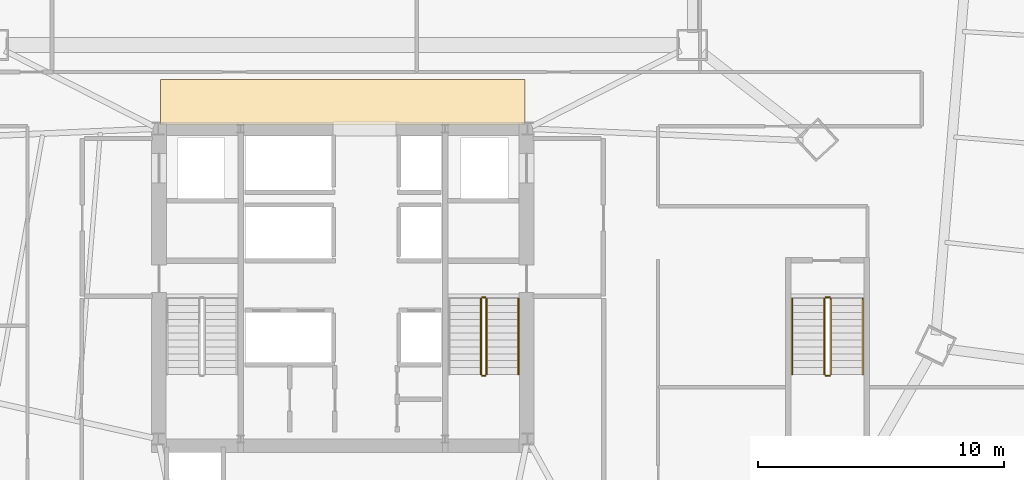
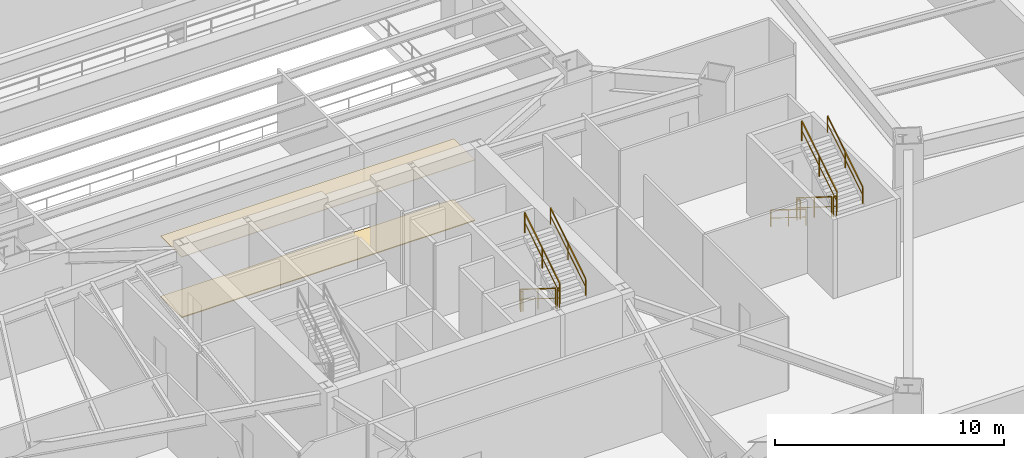
# One storey, part 11 of 12: 11 railings, 2 coverings.
"""IFC4 building model written with IfcOpenShell, lengths in metres."""

from ifc_helpers import new_model, si_unit, direction, frame, origin, origin_2d, place, context, subcontext, project, spatial, polyline, rectangle, outline, extrude, material, layer, layer_set, type_object, element, save


model = new_model("IFC4")

# Units and contexts
model_context = context("Model", 3, precision=1e-05, world=origin(), true_north=direction((0.0, 1.0)))
body_context = subcontext(model_context, "Body", "Model", "MODEL_VIEW")
ifc_project = project(units=[si_unit("LENGTHUNIT", "METRE"), si_unit("AREAUNIT", "SQUARE_METRE"), si_unit("VOLUMEUNIT", "CUBIC_METRE"), si_unit("PLANEANGLEUNIT", "RADIAN"), si_unit("MASSUNIT", "GRAM", prefix="KILO")], contexts=[model_context])

# Site, building, storey
site_placement = place(None, origin())
site = spatial("IfcSite", under=ifc_project, at=site_placement, CompositionType="ELEMENT")
building_placement = place(site_placement, origin())
building = spatial("IfcBuilding", under=site, at=building_placement, Name="Caelisora Broadcast Tower", CompositionType="ELEMENT")
storey_placement = place(building_placement, frame((0.0, 0.0, 14.699951171875)))
storey = spatial("IfcBuildingStorey", under=building, at=storey_placement, Name="L03", CompositionType="ELEMENT", Elevation=14.699951171875)

# Coverings
ifc_material_1 = material(Name="Perforated Mineral-Fibre Acoustic Ceiling Tile", Category="gypsum")
ifc_layer_1 = layer(ifc_material_1, 0.034912109375, Name="Perforated Mineral-Fibre Acoustic Ceiling Tile")
ifc_layer_set_1 = layer_set([ifc_layer_1], Name="Perforated Mineral-Fibre Acoustic Ceiling Tile")
covering_type_1 = type_object("IfcCoveringType", Name="CE-1", PredefinedType="CEILING", material=ifc_layer_set_1)
covering_1_placement = place(storey_placement, frame((0.0, 0.0, 3.22998046875)))
element("IfcCovering", 1, at=covering_1_placement, inside=storey, type_object=covering_type_1, Name="L03 acoustic corridor ceiling CE-1 (N)", PredefinedType="CEILING", context=body_context, shape_type="SweptSolid", body=[
    extrude(outline(polyline([(30.60009765625, 30.14990234375), (45.39990234375, 30.14990234375), (45.39990234375, 32.0), (30.60009765625, 32.0), (30.60009765625, 30.14990234375)])), origin(), (0.0, 0.0, 1.0), 0.03515625),
])
ifc_material_2 = material(Name="Anti-Static Broadcast Raised Access Floor Panel", Category="steel")
ifc_layer_2 = layer(ifc_material_2, 0.044921875, Name="Anti-Static Broadcast Raised Access Floor Panel")
ifc_layer_set_2 = layer_set([ifc_layer_2], Name="Anti-Static Broadcast Raised Access Floor Panel")
covering_type_2 = type_object("IfcCoveringType", Name="FL-1", PredefinedType="FLOORING", material=ifc_layer_set_2)
covering_2_placement = place(storey_placement, origin())
element("IfcCovering", 2, at=covering_2_placement, inside=storey, type_object=covering_type_2, Name="L03 broadcast raised access floor FL-1 (N)", PredefinedType="FLOORING", context=body_context, shape_type="SweptSolid", body=[
    extrude(outline(polyline([(30.60009765625, 30.14990234375), (45.39990234375, 30.14990234375), (45.39990234375, 32.0), (30.60009765625, 32.0), (30.60009765625, 30.14990234375)])), origin(), (0.0, 0.0, 1.0), 0.045166015625),
])

# Railings
ifc_material_3 = material(Name="Galvanised Steel Safety Guardrail", Category="steel")
ifc_layer_3 = layer(ifc_material_3, 0.048095703125, Name="Galvanised Steel Safety Guardrail")
ifc_layer_set_3 = layer_set([ifc_layer_3], Name="Galvanised Steel Safety Guardrail")
railing_type_1 = type_object("IfcRailingType", Name="GR-1", PredefinedType="GUARDRAIL", material=ifc_layer_set_3)
railing_1_placement = place(storey_placement, frame((43.610107421875, 23.10009765625, 0.175048828125)))
element("IfcRailing", 3, at=railing_1_placement, inside=storey, type_object=railing_type_1, Name="L03 ST-2 stair guard 1", PredefinedType="GUARDRAIL", context=body_context, shape_type="SweptSolid", body=[
    extrude(rectangle(XDim=0.048095703125, YDim=0.048095703125, at=origin_2d()), frame((0.0, 0.0, 1.076171875), z_axis=(0.0, -0.847998304005, 0.529998940003), x_axis=(1.0, 0.0, 0.0)), (0.0, 0.0, 1.0), 3.632080078125),
    extrude(rectangle(XDim=0.03125, YDim=0.03125, at=origin_2d()), frame((0.0, 0.0, 0.550048828125), z_axis=(0.0, -0.847998304005, 0.529998940003), x_axis=(1.0, 0.0, 0.0)), (0.0, 0.0, 1.0), 3.632080078125),
    extrude(rectangle(XDim=0.0419921875, YDim=0.0419921875, at=origin_2d()), origin(), (0.0, 0.0, 1.0), 1.052001953125),
    extrude(rectangle(XDim=0.0419921875, YDim=0.0419921875, at=origin_2d()), frame((0.0, -1.5400390625, 0.96240234375)), (0.0, 0.0, 1.0), 1.052001953125),
    extrude(rectangle(XDim=0.0419921875, YDim=0.0419921875, at=origin_2d()), frame((0.0, -3.080078125, 1.925048828125)), (0.0, 0.0, 1.0), 1.052001953125),
])
railing_2_placement = place(storey_placement, frame((43.659912109375, 19.969970703125, 2.10009765625)))
element("IfcRailing", 4, at=railing_2_placement, inside=storey, type_object=railing_type_1, Name="L03 ST-2 stair guard 2", PredefinedType="GUARDRAIL", context=body_context, shape_type="SweptSolid", body=[
    extrude(rectangle(XDim=0.048095703125, YDim=0.048095703125, at=origin_2d()), frame((0.0, 0.0, 1.076171875), z_axis=(1.0, 0.0, 0.0), x_axis=(0.0, 1.0, 0.0)), (0.0, 0.0, 1.0), 0.1201171875),
    extrude(rectangle(XDim=0.03125, YDim=0.03125, at=origin_2d()), frame((0.0, 0.0, 0.550048828125), z_axis=(1.0, 0.0, 0.0), x_axis=(0.0, 1.0, 0.0)), (0.0, 0.0, 1.0), 0.1201171875),
    extrude(rectangle(XDim=0.0419921875, YDim=0.0419921875, at=origin_2d()), origin(), (0.0, 0.0, 1.0), 1.052001953125),
    extrude(rectangle(XDim=0.0419921875, YDim=0.0419921875, at=origin_2d()), frame((0.1201171875, 0.0, 0.0)), (0.0, 0.0, 1.0), 1.052001953125),
])
railing_3_placement = place(storey_placement, frame((43.830078125, 20.02001953125, 2.275146484375)))
element("IfcRailing", 5, at=railing_3_placement, inside=storey, type_object=railing_type_1, Name="L03 ST-2 stair guard 3", PredefinedType="GUARDRAIL", context=body_context, shape_type="SweptSolid", body=[
    extrude(rectangle(XDim=0.048095703125, YDim=0.048095703125, at=origin_2d()), frame((0.0, 0.0, 1.076171875), z_axis=(0.0, 0.848028513186, 0.529950602248), x_axis=(-1.0, 0.0, 0.0)), (0.0, 0.0, 1.0), 3.632080078125),
    extrude(rectangle(XDim=0.03125, YDim=0.03125, at=origin_2d()), frame((0.0, 0.0, 0.550048828125), z_axis=(0.0, 0.848028513186, 0.529950602248), x_axis=(-1.0, 0.0, 0.0)), (0.0, 0.0, 1.0), 3.632080078125),
    extrude(rectangle(XDim=0.0419921875, YDim=0.0419921875, at=origin_2d()), origin(), (0.0, 0.0, 1.0), 1.052001953125),
    extrude(rectangle(XDim=0.0419921875, YDim=0.0419921875, at=origin_2d()), frame((0.0, 1.5400390625, 0.96240234375)), (0.0, 0.0, 1.0), 1.052001953125),
    extrude(rectangle(XDim=0.0419921875, YDim=0.0419921875, at=origin_2d()), frame((0.0, 3.080078125, 1.9248046875)), (0.0, 0.0, 1.0), 1.052001953125),
])
railing_4_placement = place(storey_placement, frame((43.659912109375, 23.14990234375, 0.0)))
element("IfcRailing", 6, at=railing_4_placement, inside=storey, type_object=railing_type_1, Name="L03 ST-2 stair guard 4", PredefinedType="GUARDRAIL", context=body_context, shape_type="SweptSolid", body=[
    extrude(rectangle(XDim=0.048095703125, YDim=0.048095703125, at=origin_2d()), frame((0.0, 0.0, 1.076171875), z_axis=(1.0, 0.0, 0.0), x_axis=(0.0, 1.0, 0.0)), (0.0, 0.0, 1.0), 0.1201171875),
    extrude(rectangle(XDim=0.03125, YDim=0.03125, at=origin_2d()), frame((0.0, 0.0, 0.550048828125), z_axis=(1.0, 0.0, 0.0), x_axis=(0.0, 1.0, 0.0)), (0.0, 0.0, 1.0), 0.1201171875),
    extrude(rectangle(XDim=0.0419921875, YDim=0.0419921875, at=origin_2d()), origin(), (0.0, 0.0, 1.0), 1.052001953125),
    extrude(rectangle(XDim=0.0419921875, YDim=0.0419921875, at=origin_2d()), frame((0.1201171875, 0.0, 0.0)), (0.0, 0.0, 1.0), 1.052001953125),
])
railing_5_placement = place(storey_placement, frame((57.550048828125, 23.10009765625, 0.175048828125)))
element("IfcRailing", 7, at=railing_5_placement, inside=storey, type_object=railing_type_1, Name="L03 ST-3 stair guard 1", PredefinedType="GUARDRAIL", context=body_context, shape_type="SweptSolid", body=[
    extrude(rectangle(XDim=0.048095703125, YDim=0.048095703125, at=origin_2d()), frame((0.0, 0.0, 1.076171875), z_axis=(0.0, -0.847998304005, 0.529998940003), x_axis=(1.0, 0.0, 0.0)), (0.0, 0.0, 1.0), 3.632080078125),
    extrude(rectangle(XDim=0.03125, YDim=0.03125, at=origin_2d()), frame((0.0, 0.0, 0.550048828125), z_axis=(0.0, -0.847998304005, 0.529998940003), x_axis=(1.0, 0.0, 0.0)), (0.0, 0.0, 1.0), 3.632080078125),
    extrude(rectangle(XDim=0.0419921875, YDim=0.0419921875, at=origin_2d()), origin(), (0.0, 0.0, 1.0), 1.052001953125),
    extrude(rectangle(XDim=0.0419921875, YDim=0.0419921875, at=origin_2d()), frame((0.0, -1.5400390625, 0.96240234375)), (0.0, 0.0, 1.0), 1.052001953125),
    extrude(rectangle(XDim=0.0419921875, YDim=0.0419921875, at=origin_2d()), frame((0.0, -3.080078125, 1.925048828125)), (0.0, 0.0, 1.0), 1.052001953125),
])
railing_6_placement = place(storey_placement, frame((57.60009765625, 19.969970703125, 2.10009765625)))
element("IfcRailing", 8, at=railing_6_placement, inside=storey, type_object=railing_type_1, Name="L03 ST-3 stair guard 2", PredefinedType="GUARDRAIL", context=body_context, shape_type="SweptSolid", body=[
    extrude(rectangle(XDim=0.048095703125, YDim=0.048095703125, at=origin_2d()), frame((0.0, 0.0, 1.076171875), z_axis=(1.0, 0.0, 0.0), x_axis=(0.0, 1.0, 0.0)), (0.0, 0.0, 1.0), 0.159912109375),
    extrude(rectangle(XDim=0.03125, YDim=0.03125, at=origin_2d()), frame((0.0, 0.0, 0.550048828125), z_axis=(1.0, 0.0, 0.0), x_axis=(0.0, 1.0, 0.0)), (0.0, 0.0, 1.0), 0.159912109375),
    extrude(rectangle(XDim=0.0419921875, YDim=0.0419921875, at=origin_2d()), origin(), (0.0, 0.0, 1.0), 1.052001953125),
    extrude(rectangle(XDim=0.0419921875, YDim=0.0419921875, at=origin_2d()), frame((0.159912109375, 0.0, 0.0)), (0.0, 0.0, 1.0), 1.052001953125),
])
railing_7_placement = place(storey_placement, frame((57.81005859375, 20.02001953125, 2.275146484375)))
element("IfcRailing", 9, at=railing_7_placement, inside=storey, type_object=railing_type_1, Name="L03 ST-3 stair guard 3", PredefinedType="GUARDRAIL", context=body_context, shape_type="SweptSolid", body=[
    extrude(rectangle(XDim=0.048095703125, YDim=0.048095703125, at=origin_2d()), frame((0.0, 0.0, 1.076171875), z_axis=(0.0, 0.848028513186, 0.529950602248), x_axis=(-1.0, 0.0, 0.0)), (0.0, 0.0, 1.0), 3.632080078125),
    extrude(rectangle(XDim=0.03125, YDim=0.03125, at=origin_2d()), frame((0.0, 0.0, 0.550048828125), z_axis=(0.0, 0.848028513186, 0.529950602248), x_axis=(-1.0, 0.0, 0.0)), (0.0, 0.0, 1.0), 3.632080078125),
    extrude(rectangle(XDim=0.0419921875, YDim=0.0419921875, at=origin_2d()), origin(), (0.0, 0.0, 1.0), 1.052001953125),
    extrude(rectangle(XDim=0.0419921875, YDim=0.0419921875, at=origin_2d()), frame((0.0, 1.5400390625, 0.96240234375)), (0.0, 0.0, 1.0), 1.052001953125),
    extrude(rectangle(XDim=0.0419921875, YDim=0.0419921875, at=origin_2d()), frame((0.0, 3.080078125, 1.9248046875)), (0.0, 0.0, 1.0), 1.052001953125),
])
railing_8_placement = place(storey_placement, frame((57.60009765625, 23.14990234375, 0.0)))
element("IfcRailing", 10, at=railing_8_placement, inside=storey, type_object=railing_type_1, Name="L03 ST-3 stair guard 4", PredefinedType="GUARDRAIL", context=body_context, shape_type="SweptSolid", body=[
    extrude(rectangle(XDim=0.048095703125, YDim=0.048095703125, at=origin_2d()), frame((0.0, 0.0, 1.076171875), z_axis=(1.0, 0.0, 0.0), x_axis=(0.0, 1.0, 0.0)), (0.0, 0.0, 1.0), 0.159912109375),
    extrude(rectangle(XDim=0.03125, YDim=0.03125, at=origin_2d()), frame((0.0, 0.0, 0.550048828125), z_axis=(1.0, 0.0, 0.0), x_axis=(0.0, 1.0, 0.0)), (0.0, 0.0, 1.0), 0.159912109375),
    extrude(rectangle(XDim=0.0419921875, YDim=0.0419921875, at=origin_2d()), origin(), (0.0, 0.0, 1.0), 1.052001953125),
    extrude(rectangle(XDim=0.0419921875, YDim=0.0419921875, at=origin_2d()), frame((0.159912109375, 0.0, 0.0)), (0.0, 0.0, 1.0), 1.052001953125),
])
ifc_material_4 = material(Name="Stainless Steel Grade 316 Tubular Handrail", Category="steel")
ifc_layer_4 = layer(ifc_material_4, 0.048095703125, Name="Stainless Steel Grade 316 Tubular Handrail")
ifc_layer_set_4 = layer_set([ifc_layer_4], Name="Stainless Steel Grade 316 Tubular Handrail")
railing_type_2 = type_object("IfcRailingType", Name="HR-1", PredefinedType="HANDRAIL", material=ifc_layer_set_4)
railing_9_placement = place(storey_placement, frame((45.1298828125, 20.02001953125, 2.275146484375)))
element("IfcRailing", 11, at=railing_9_placement, inside=storey, type_object=railing_type_2, Name="L03 ST-2 stair handrail 2", PredefinedType="HANDRAIL", context=body_context, shape_type="SweptSolid", body=[
    extrude(rectangle(XDim=0.048095703125, YDim=0.048095703125, at=origin_2d()), frame((0.0, 0.0, 0.8759765625), z_axis=(0.0, 0.848028513186, 0.529950602248), x_axis=(-1.0, 0.0, 0.0)), (0.0, 0.0, 1.0), 3.632080078125),
    extrude(rectangle(XDim=0.03125, YDim=0.03125, at=origin_2d()), frame((0.0, 0.0, 0.449951171875), z_axis=(0.0, 0.848028513186, 0.529950602248), x_axis=(-1.0, 0.0, 0.0)), (0.0, 0.0, 1.0), 3.632080078125),
    extrude(rectangle(XDim=0.0419921875, YDim=0.0419921875, at=origin_2d()), origin(), (0.0, 0.0, 1.0), 0.851806640625),
    extrude(rectangle(XDim=0.0419921875, YDim=0.0419921875, at=origin_2d()), frame((0.0, 1.5400390625, 0.96240234375)), (0.0, 0.0, 1.0), 0.851806640625),
    extrude(rectangle(XDim=0.0419921875, YDim=0.0419921875, at=origin_2d()), frame((0.0, 3.080078125, 1.9248046875)), (0.0, 0.0, 1.0), 0.851806640625),
])
railing_10_placement = place(storey_placement, frame((56.25, 23.10009765625, 0.175048828125)))
element("IfcRailing", 12, at=railing_10_placement, inside=storey, type_object=railing_type_2, Name="L03 ST-3 stair handrail 1", PredefinedType="HANDRAIL", context=body_context, shape_type="SweptSolid", body=[
    extrude(rectangle(XDim=0.048095703125, YDim=0.048095703125, at=origin_2d()), frame((0.0, 0.0, 0.8759765625), z_axis=(0.0, -0.847998304005, 0.529998940003), x_axis=(1.0, 0.0, 0.0)), (0.0, 0.0, 1.0), 3.632080078125),
    extrude(rectangle(XDim=0.03125, YDim=0.03125, at=origin_2d()), frame((0.0, 0.0, 0.449951171875), z_axis=(0.0, -0.847998304005, 0.529998940003), x_axis=(1.0, 0.0, 0.0)), (0.0, 0.0, 1.0), 3.632080078125),
    extrude(rectangle(XDim=0.0419921875, YDim=0.0419921875, at=origin_2d()), origin(), (0.0, 0.0, 1.0), 0.851806640625),
    extrude(rectangle(XDim=0.0419921875, YDim=0.0419921875, at=origin_2d()), frame((0.0, -1.5400390625, 0.96240234375)), (0.0, 0.0, 1.0), 0.851806640625),
    extrude(rectangle(XDim=0.0419921875, YDim=0.0419921875, at=origin_2d()), frame((0.0, -3.080078125, 1.925048828125)), (0.0, 0.0, 1.0), 0.851806640625),
])
railing_11_placement = place(storey_placement, frame((59.110107421875, 20.02001953125, 2.275146484375)))
element("IfcRailing", 13, at=railing_11_placement, inside=storey, type_object=railing_type_2, Name="L03 ST-3 stair handrail 2", PredefinedType="HANDRAIL", context=body_context, shape_type="SweptSolid", body=[
    extrude(rectangle(XDim=0.048095703125, YDim=0.048095703125, at=origin_2d()), frame((0.0, 0.0, 0.8759765625), z_axis=(0.0, 0.848028513186, 0.529950602248), x_axis=(-1.0, 0.0, 0.0)), (0.0, 0.0, 1.0), 3.632080078125),
    extrude(rectangle(XDim=0.03125, YDim=0.03125, at=origin_2d()), frame((0.0, 0.0, 0.449951171875), z_axis=(0.0, 0.848028513186, 0.529950602248), x_axis=(-1.0, 0.0, 0.0)), (0.0, 0.0, 1.0), 3.632080078125),
    extrude(rectangle(XDim=0.0419921875, YDim=0.0419921875, at=origin_2d()), origin(), (0.0, 0.0, 1.0), 0.851806640625),
    extrude(rectangle(XDim=0.0419921875, YDim=0.0419921875, at=origin_2d()), frame((0.0, 1.5400390625, 0.96240234375)), (0.0, 0.0, 1.0), 0.851806640625),
    extrude(rectangle(XDim=0.0419921875, YDim=0.0419921875, at=origin_2d()), frame((0.0, 3.080078125, 1.9248046875)), (0.0, 0.0, 1.0), 0.851806640625),
])

save(model, "model.ifc")
